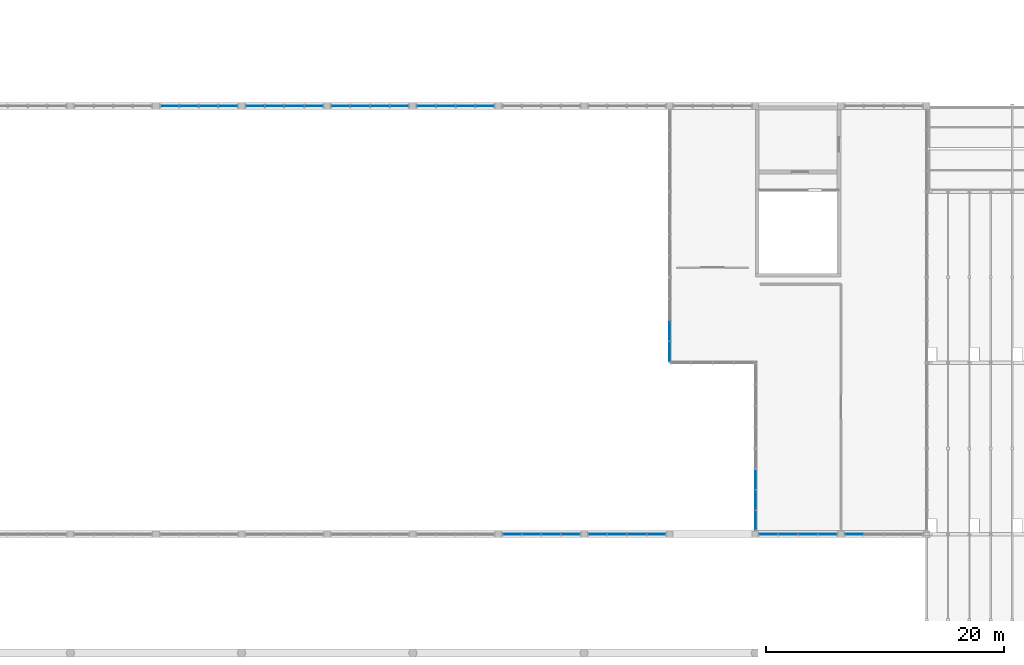
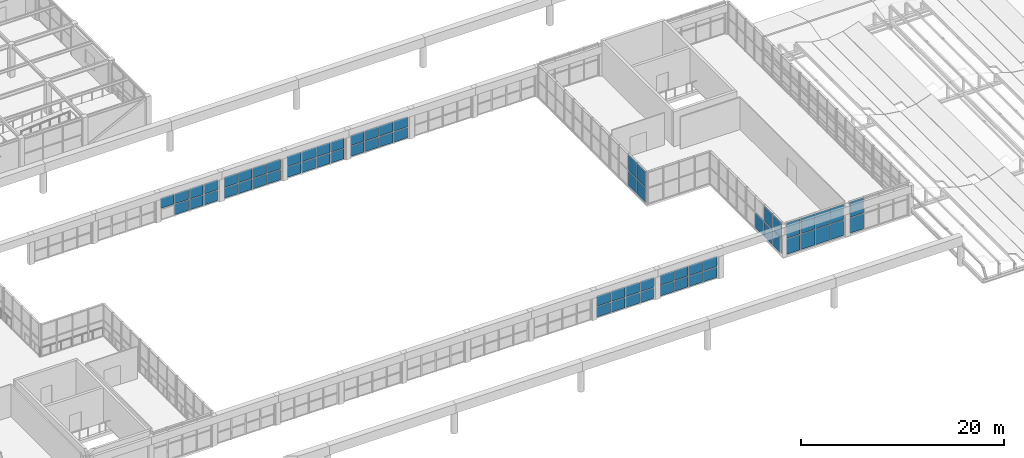
# One storey, part 53 of 83: 66 plates, 10 elements without a shape of their own.
"""IFC4 building model written with IfcOpenShell, lengths in metres."""

import ifcopenshell
import ifcopenshell.guid

model = None  # the IFC model being written
_history = None  # IfcOwnerHistory: only IFC2X3 demands one
_inside = {}  # id of a spatial element -> (the spatial element, [elements in it])
_under = {}  # id of a project, library or spatial element -> (it, [spatial elements below it])
_declared = {}  # id of a project -> (the project, [libraries it declares])
_typed = {}  # id of a type object -> (the type object, [elements of that type])
_made_of = {}  # id of a material, layer set ... -> (it, [elements and type objects made of it])


def new_model(schema):
    """Start an empty IFC model of exactly this schema.

    Asked for "IFC4X3", IfcOpenShell would pick the latest addendum, in which some entities
    have other attributes; the version numbers below select the first issue.
    IFC2X3 requires an IfcOwnerHistory on every rooted entity: one is made here for all.
    """
    global model, _history
    if schema == "IFC4X3":
        model = ifcopenshell.file(schema_version=(4, 3, 0, 0))
    else:
        model = ifcopenshell.file(schema=schema)
    _inside.clear()
    _under.clear()
    _declared.clear()
    _typed.clear()
    _made_of.clear()
    _history = None
    if model.schema == "IFC2X3":
        org = make("IfcOrganization", Name="unknown")
        user = make(
            "IfcPersonAndOrganization",
            ThePerson=make("IfcPerson", FamilyName="unknown"),
            TheOrganization=org,
        )
        app = make(
            "IfcApplication",
            ApplicationDeveloper=org,
            Version="unknown",
            ApplicationFullName="unknown",
            ApplicationIdentifier="unknown",
        )
        _history = make(
            "IfcOwnerHistory",
            OwningUser=user,
            OwningApplication=app,
            ChangeAction="ADDED",
            CreationDate=0,
        )
    return model


def make(cls, **values):
    """One entity of the class cls with the attributes given. An attribute that is None is left unset."""
    return model.create_entity(
        cls, **{name: value for name, value in values.items() if value is not None}
    )


def rooted(cls, **values):
    """An entity with a GlobalId (a new one), such as an element, a storey or a relation."""
    return make(cls, GlobalId=ifcopenshell.guid.new(), OwnerHistory=_history, **values)


def si_unit(unit_type, name, prefix=None):
    """IfcSIUnit, for example si_unit("LENGTHUNIT", "METRE", prefix="MILLI")."""
    return make("IfcSIUnit", UnitType=unit_type, Prefix=prefix, Name=name)


def assignment(units):
    """IfcUnitAssignment: the units of a project."""
    return None if units is None else make("IfcUnitAssignment", Units=units)


def point(xyz):
    """IfcCartesianPoint."""
    return None if xyz is None else make("IfcCartesianPoint", Coordinates=xyz)


def direction(xyz):
    """IfcDirection."""
    return None if xyz is None else make("IfcDirection", DirectionRatios=xyz)


def frame(location, z_axis=None, x_axis=None):
    """IfcAxis2Placement3D, a coordinate frame: its origin and axes. An axis left out is left unset."""
    return make(
        "IfcAxis2Placement3D",
        Location=point(location),
        Axis=direction(z_axis),
        RefDirection=direction(x_axis),
    )


def frame_2d(location, x_axis=None):
    """IfcAxis2Placement2D, a coordinate frame in the plane: its origin and x axis."""
    return make(
        "IfcAxis2Placement2D", Location=point(location), RefDirection=direction(x_axis)
    )


def origin():
    """The frame at (0, 0, 0) with its axes left unset."""
    return frame((0.0, 0.0, 0.0))


def origin_2d():
    """The frame at (0, 0) in the plane with its x axis left unset."""
    return frame_2d((0.0, 0.0))


def place(relative_to, where):
    """IfcLocalPlacement: puts the frame where relative to a parent placement (None: the world)."""
    return make(
        "IfcLocalPlacement", PlacementRelTo=relative_to, RelativePlacement=where
    )


def context(
    kind, dimensions, precision=None, world=None, true_north=None, identifier=None
):
    """IfcGeometricRepresentationContext, for example the 3D "Model" context."""
    return make(
        "IfcGeometricRepresentationContext",
        ContextIdentifier=identifier,
        ContextType=kind,
        CoordinateSpaceDimension=dimensions,
        Precision=precision,
        WorldCoordinateSystem=world,
        TrueNorth=true_north,
    )


def subcontext(parent, identifier, kind, view, scale=None):
    """IfcGeometricRepresentationSubContext, for example "Body" below "Model"."""
    return make(
        "IfcGeometricRepresentationSubContext",
        ContextIdentifier=identifier,
        ContextType=kind,
        ParentContext=parent,
        TargetScale=scale,
        TargetView=view,
    )


def project(units=None, contexts=None):
    """IfcProject with its units and contexts."""
    return rooted(
        "IfcProject",
        Name="project",
        RepresentationContexts=contexts,
        UnitsInContext=assignment(units),
    )


def spatial(cls, under=None, at=None, **own):
    """A site, building, storey or space (cls), placed at a placement, below another one or the project."""
    s = rooted(cls, ObjectPlacement=at, **own)
    if under is not None:
        _under.setdefault(under.id(), (under, []))[1].append(s)
    return s


def profile(cls, at=None, kind="AREA", **sizes):
    """A parametric profile (cls). Its sizes go by their IFC names, for example OverallWidth=200.0."""
    return make(cls, ProfileType=kind, Position=at, **sizes)


def rectangle(**sizes):
    """IfcRectangleProfileDef."""
    return profile("IfcRectangleProfileDef", **sizes)


def extrude(swept, where, along, depth):
    """IfcExtrudedAreaSolid: the profile swept, set in the frame where, extruded along a direction by depth."""
    return make(
        "IfcExtrudedAreaSolid",
        SweptArea=swept,
        Position=where,
        ExtrudedDirection=direction(along),
        Depth=depth,
    )


def shape(context_of_items, identifier, shape_type, items):
    """IfcShapeRepresentation: the items that make up one representation, for example the "Body"."""
    return make(
        "IfcShapeRepresentation",
        ContextOfItems=context_of_items,
        RepresentationIdentifier=identifier,
        RepresentationType=shape_type,
        Items=items,
    )


def material(Name=None, Category=None):
    """IfcMaterial."""
    return make("IfcMaterial", Name=Name, Category=Category)


def layer(
    of_material, thickness, ventilated=None, Name=None, Category=None, Priority=None
):
    """IfcMaterialLayer: one layer of a wall or slab, of a material (None: an air gap)."""
    return make(
        "IfcMaterialLayer",
        Material=of_material,
        LayerThickness=thickness,
        IsVentilated=ventilated,
        Name=Name,
        Category=Category,
        Priority=Priority,
    )


def layer_set(layers, Name=None):
    """IfcMaterialLayerSet."""
    return make("IfcMaterialLayerSet", MaterialLayers=layers, LayerSetName=Name)


def made_of(thing, what):
    """Note that an element or type object is made of a material, layer set ...; save() writes the relation."""
    if what is not None:
        _made_of.setdefault(what.id(), (what, []))[1].append(thing)
    return thing


def type_object(cls, material=None, **own):
    """A type object (cls), such as IfcWallType, which elements share."""
    return made_of(rooted(cls, **own), material)


def element(
    cls,
    number,
    at=None,
    inside=None,
    cuts=None,
    type_object=None,
    material=None,
    context=None,
    identifier="Body",
    shape_type=None,
    held_by="IfcProductDefinitionShape",
    body=None,
    shapes=None,
    **own,
):
    """One element of the class cls, such as IfcWall. Its Tag is "e" and its number.

    at: its placement. inside: the storey or other place that contains it. cuts: it is an
    opening in that element (IfcRelVoidsElement). A single representation is given by context,
    identifier, shape_type and body (its items); several are given by shapes. held_by: the class
    of the entity that holds the representations. save() writes the other relations.
    """
    e = rooted(cls, Tag="e%d" % number, ObjectPlacement=at, **own)
    if body is not None:
        shapes = [shape(context, identifier, shape_type, body)]
    if shapes is not None:
        e.Representation = make(held_by, Representations=shapes)
    if inside is not None:
        _inside.setdefault(inside.id(), (inside, []))[1].append(e)
    if cuts is not None:
        rooted(
            "IfcRelVoidsElement", RelatingBuildingElement=cuts, RelatedOpeningElement=e
        )
    if type_object is not None:
        _typed.setdefault(type_object.id(), (type_object, []))[1].append(e)
    return made_of(e, material)


def aggregate(whole, parts):
    """IfcRelAggregates: a whole, such as a stair, and the parts it consists of."""
    return rooted("IfcRelAggregates", RelatingObject=whole, RelatedObjects=parts)


def save(model, path):
    """Write the relations noted so far, then the file.

    IfcRelAggregates (storeys below a building ...), IfcRelContainedInSpatialStructure (elements
    in a storey), IfcRelDefinesByType, IfcRelAssociatesMaterial and IfcRelDeclares: one each for
    every whole, place, type object, material and project.
    """
    for whole, parts in _under.values():
        aggregate(whole, parts)
    for where, things in _inside.values():
        rooted(
            "IfcRelContainedInSpatialStructure",
            RelatedElements=things,
            RelatingStructure=where,
        )
    for kind, things in _typed.values():
        rooted("IfcRelDefinesByType", RelatedObjects=things, RelatingType=kind)
    for what, things in _made_of.values():
        rooted("IfcRelAssociatesMaterial", RelatedObjects=things, RelatingMaterial=what)
    for by, libraries in _declared.values():
        rooted("IfcRelDeclares", RelatingContext=by, RelatedDefinitions=libraries)
    model.write(path)


model = new_model("IFC4")

# Units and contexts
model_context = context("Model", 3, precision=1e-05, world=origin(), true_north=direction((0.0, 1.0)))
body_context = subcontext(model_context, "Body", "Model", "MODEL_VIEW")
ifc_project = project(units=[si_unit("LENGTHUNIT", "METRE"), si_unit("AREAUNIT", "SQUARE_METRE"), si_unit("VOLUMEUNIT", "CUBIC_METRE"), si_unit("PLANEANGLEUNIT", "RADIAN"), si_unit("MASSUNIT", "GRAM", prefix="KILO")], contexts=[model_context])

# Site, building, storey
site_placement = place(None, origin())
site = spatial("IfcSite", under=ifc_project, at=site_placement, CompositionType="ELEMENT")
building_placement = place(site_placement, origin())
building = spatial("IfcBuilding", under=site, at=building_placement, Name="Leyfeld Transit Interchange", CompositionType="ELEMENT")
storey_placement = place(building_placement, frame((0.0, 0.0, 5.39990234375)))
storey = spatial("IfcBuildingStorey", under=building, at=storey_placement, Name="L01", CompositionType="ELEMENT", Elevation=5.39990234375)

# Curtain wall, plates
ifc_material_1 = material(Name="Anodised aluminium EN AW-6060 T66", Category="aluminium")
curtain_wall_type = type_object("IfcCurtainWallType", Name="CW-SYS-ARC-7200", PredefinedType="NOTDEFINED", material=ifc_material_1)
curtain_wall_1_placement = place(storey_placement, origin())
curtain_wall_1 = element("IfcCurtainWall", 1, at=curtain_wall_1_placement, inside=storey, type_object=curtain_wall_type, Name="Curtain Wall CW-L01-073", PredefinedType="NOTDEFINED")
ifc_material_2 = material(Name="Triple low-E insulated glazing", Category="glass")
ifc_layer = layer(ifc_material_2, 0.0439453125, Name="Triple low-E insulated glazing")
ifc_layer_set = layer_set([ifc_layer], Name="Triple low-E insulated glazing")
plate_type = type_object("IfcPlateType", Name="CW-PNL-GLZ-44", PredefinedType="CURTAIN_PANEL", material=ifc_layer_set)
plate_1_placement = place(storey_placement, frame((86.39990234375, 15.54931640625, 0.08349609375), z_axis=(0.0, 0.0, 1.0), x_axis=(0.0, 1.0, 0.0)))
plate_1 = element("IfcPlate", 2, at=plate_1_placement, type_object=plate_type, Name="Glazed Curtain Panel CW-L01-073-P01_1", PredefinedType="CURTAIN_PANEL", context=body_context, shape_type="SweptSolid", body=[
    extrude(rectangle(XDim=1.601806640625, YDim=0.0439453125, at=origin_2d()), origin(), (0.0, 0.0, 1.0), 1.825439453125),
])
plate_2_placement = place(storey_placement, frame((86.39990234375, 15.54931640625, 1.9912109375), z_axis=(0.0, 0.0, 1.0), x_axis=(0.0, 1.0, 0.0)))
plate_2 = element("IfcPlate", 3, at=plate_2_placement, type_object=plate_type, Name="Glazed Curtain Panel CW-L01-073-P01_2", PredefinedType="CURTAIN_PANEL", context=body_context, shape_type="SweptSolid", body=[
    extrude(rectangle(XDim=1.601806640625, YDim=0.0439453125, at=origin_2d()), origin(), (0.0, 0.0, 1.0), 1.825439453125),
])
plate_3_placement = place(storey_placement, frame((86.39990234375, 17.25439453125, 0.08349609375), z_axis=(0.0, 0.0, 1.0), x_axis=(0.0, 1.0, 0.0)))
plate_3 = element("IfcPlate", 4, at=plate_3_placement, type_object=plate_type, Name="Glazed Curtain Panel CW-L01-073-P02_1", PredefinedType="CURTAIN_PANEL", context=body_context, shape_type="SweptSolid", body=[
    extrude(rectangle(XDim=1.644287109375, YDim=0.0439453125, at=origin_2d()), origin(), (0.0, 0.0, 1.0), 1.825439453125),
])
plate_4_placement = place(storey_placement, frame((86.39990234375, 17.25439453125, 1.9912109375), z_axis=(0.0, 0.0, 1.0), x_axis=(0.0, 1.0, 0.0)))
plate_4 = element("IfcPlate", 5, at=plate_4_placement, type_object=plate_type, Name="Glazed Curtain Panel CW-L01-073-P02_2", PredefinedType="CURTAIN_PANEL", context=body_context, shape_type="SweptSolid", body=[
    extrude(rectangle(XDim=1.644287109375, YDim=0.0439453125, at=origin_2d()), origin(), (0.0, 0.0, 1.0), 1.825439453125),
])
plate_5_placement = place(storey_placement, frame((86.39990234375, 18.980712890625, 0.08349609375), z_axis=(0.0, 0.0, 1.0), x_axis=(0.0, 1.0, 0.0)))
plate_5 = element("IfcPlate", 6, at=plate_5_placement, type_object=plate_type, Name="Glazed Curtain Panel CW-L01-073-P03_1", PredefinedType="CURTAIN_PANEL", context=body_context, shape_type="SweptSolid", body=[
    extrude(rectangle(XDim=1.644287109375, YDim=0.0439453125, at=origin_2d()), origin(), (0.0, 0.0, 1.0), 1.825439453125),
])
aggregate(curtain_wall_1, [plate_1, plate_2, plate_3, plate_4, plate_5])

curtain_wall_2_placement = place(storey_placement, origin())
curtain_wall_2 = element("IfcCurtainWall", 7, at=curtain_wall_2_placement, inside=storey, type_object=curtain_wall_type, Name="Curtain Wall CW-L01-076", PredefinedType="NOTDEFINED")
plate_6_placement = place(storey_placement, frame((79.199951171875, 29.74365234375, 0.08349609375), z_axis=(0.0, 0.0, 1.0), x_axis=(0.0, 1.0, 0.0)))
plate_6 = element("IfcPlate", 8, at=plate_6_placement, type_object=plate_type, Name="Glazed Curtain Panel CW-L01-076-P01_1", PredefinedType="CURTAIN_PANEL", context=body_context, shape_type="SweptSolid", body=[
    extrude(rectangle(XDim=1.660400390625, YDim=0.0439453125, at=origin_2d()), origin(), (0.0, 0.0, 1.0), 1.825439453125),
])
plate_7_placement = place(storey_placement, frame((79.199951171875, 29.74365234375, 1.9912109375), z_axis=(0.0, 0.0, 1.0), x_axis=(0.0, 1.0, 0.0)))
plate_7 = element("IfcPlate", 9, at=plate_7_placement, type_object=plate_type, Name="Glazed Curtain Panel CW-L01-076-P01_2", PredefinedType="CURTAIN_PANEL", context=body_context, shape_type="SweptSolid", body=[
    extrude(rectangle(XDim=1.660400390625, YDim=0.0439453125, at=origin_2d()), origin(), (0.0, 0.0, 1.0), 1.825439453125),
])
plate_8_placement = place(storey_placement, frame((79.199951171875, 31.507568359375, 0.08349609375), z_axis=(0.0, 0.0, 1.0), x_axis=(0.0, 1.0, 0.0)))
plate_8 = element("IfcPlate", 10, at=plate_8_placement, type_object=plate_type, Name="Glazed Curtain Panel CW-L01-076-P02_1", PredefinedType="CURTAIN_PANEL", context=body_context, shape_type="SweptSolid", body=[
    extrude(rectangle(XDim=1.702880859375, YDim=0.0439453125, at=origin_2d()), origin(), (0.0, 0.0, 1.0), 1.825439453125),
])
plate_9_placement = place(storey_placement, frame((79.199951171875, 31.507568359375, 1.9912109375), z_axis=(0.0, 0.0, 1.0), x_axis=(0.0, 1.0, 0.0)))
plate_9 = element("IfcPlate", 11, at=plate_9_placement, type_object=plate_type, Name="Glazed Curtain Panel CW-L01-076-P02_2", PredefinedType="CURTAIN_PANEL", context=body_context, shape_type="SweptSolid", body=[
    extrude(rectangle(XDim=1.702880859375, YDim=0.0439453125, at=origin_2d()), origin(), (0.0, 0.0, 1.0), 1.825439453125),
])
aggregate(curtain_wall_2, [plate_6, plate_7, plate_8, plate_9])

curtain_wall_3_placement = place(storey_placement, origin())
curtain_wall_3 = element("IfcCurtainWall", 12, at=curtain_wall_3_placement, inside=storey, type_object=curtain_wall_type, Name="Curtain Wall CW-L01-086", PredefinedType="NOTDEFINED")
plate_10_placement = place(storey_placement, frame((94.719970703125, 14.39990234375, 0.08349609375), z_axis=(0.0, 0.0, 1.0), x_axis=(-1.0, 0.0, 0.0)))
plate_10 = element("IfcPlate", 13, at=plate_10_placement, type_object=plate_type, Name="Glazed Curtain Panel CW-L01-086-P04_1", PredefinedType="CURTAIN_PANEL", context=body_context, shape_type="SweptSolid", body=[
    extrude(rectangle(XDim=1.54296875, YDim=0.0439453125, at=origin_2d()), origin(), (0.0, 0.0, 1.0), 1.825439453125),
])
plate_11_placement = place(storey_placement, frame((94.719970703125, 14.39990234375, 1.9912109375), z_axis=(0.0, 0.0, 1.0), x_axis=(-1.0, 0.0, 0.0)))
plate_11 = element("IfcPlate", 14, at=plate_11_placement, type_object=plate_type, Name="Glazed Curtain Panel CW-L01-086-P04_2", PredefinedType="CURTAIN_PANEL", context=body_context, shape_type="SweptSolid", body=[
    extrude(rectangle(XDim=1.54296875, YDim=0.0439453125, at=origin_2d()), origin(), (0.0, 0.0, 1.0), 1.825439453125),
])
aggregate(curtain_wall_3, [plate_10, plate_11])

curtain_wall_4_placement = place(storey_placement, origin())
curtain_wall_4 = element("IfcCurtainWall", 15, at=curtain_wall_4_placement, inside=storey, type_object=curtain_wall_type, Name="Curtain Wall CW-L01-087", PredefinedType="NOTDEFINED")
plate_12_placement = place(storey_placement, frame((92.47998046875, 14.39990234375, 0.08349609375), z_axis=(0.0, 0.0, 1.0), x_axis=(-1.0, 0.0, 0.0)))
plate_12 = element("IfcPlate", 16, at=plate_12_placement, type_object=plate_type, Name="Glazed Curtain Panel CW-L01-087-P01_1", PredefinedType="CURTAIN_PANEL", context=body_context, shape_type="SweptSolid", body=[
    extrude(rectangle(XDim=1.54296875, YDim=0.0439453125, at=origin_2d()), origin(), (0.0, 0.0, 1.0), 1.825439453125),
])
plate_13_placement = place(storey_placement, frame((92.47998046875, 14.39990234375, 1.9912109375), z_axis=(0.0, 0.0, 1.0), x_axis=(-1.0, 0.0, 0.0)))
plate_13 = element("IfcPlate", 17, at=plate_13_placement, type_object=plate_type, Name="Glazed Curtain Panel CW-L01-087-P01_2", PredefinedType="CURTAIN_PANEL", context=body_context, shape_type="SweptSolid", body=[
    extrude(rectangle(XDim=1.54296875, YDim=0.0439453125, at=origin_2d()), origin(), (0.0, 0.0, 1.0), 1.825439453125),
])
plate_14_placement = place(storey_placement, frame((90.833740234375, 14.39990234375, 0.08349609375), z_axis=(0.0, 0.0, 1.0), x_axis=(-1.0, 0.0, 0.0)))
plate_14 = element("IfcPlate", 18, at=plate_14_placement, type_object=plate_type, Name="Glazed Curtain Panel CW-L01-087-P02_1", PredefinedType="CURTAIN_PANEL", context=body_context, shape_type="SweptSolid", body=[
    extrude(rectangle(XDim=1.58544921875, YDim=0.0439453125, at=origin_2d()), origin(), (0.0, 0.0, 1.0), 1.825439453125),
])
plate_15_placement = place(storey_placement, frame((90.833740234375, 14.39990234375, 1.9912109375), z_axis=(0.0, 0.0, 1.0), x_axis=(-1.0, 0.0, 0.0)))
plate_15 = element("IfcPlate", 19, at=plate_15_placement, type_object=plate_type, Name="Glazed Curtain Panel CW-L01-087-P02_2", PredefinedType="CURTAIN_PANEL", context=body_context, shape_type="SweptSolid", body=[
    extrude(rectangle(XDim=1.58544921875, YDim=0.0439453125, at=origin_2d()), origin(), (0.0, 0.0, 1.0), 1.825439453125),
])
plate_16_placement = place(storey_placement, frame((89.166259765625, 14.39990234375, 0.08349609375), z_axis=(0.0, 0.0, 1.0), x_axis=(-1.0, 0.0, 0.0)))
plate_16 = element("IfcPlate", 20, at=plate_16_placement, type_object=plate_type, Name="Glazed Curtain Panel CW-L01-087-P03_1", PredefinedType="CURTAIN_PANEL", context=body_context, shape_type="SweptSolid", body=[
    extrude(rectangle(XDim=1.58544921875, YDim=0.0439453125, at=origin_2d()), origin(), (0.0, 0.0, 1.0), 1.825439453125),
])
plate_17_placement = place(storey_placement, frame((89.166259765625, 14.39990234375, 1.9912109375), z_axis=(0.0, 0.0, 1.0), x_axis=(-1.0, 0.0, 0.0)))
plate_17 = element("IfcPlate", 21, at=plate_17_placement, type_object=plate_type, Name="Glazed Curtain Panel CW-L01-087-P03_2", PredefinedType="CURTAIN_PANEL", context=body_context, shape_type="SweptSolid", body=[
    extrude(rectangle(XDim=1.58544921875, YDim=0.0439453125, at=origin_2d()), origin(), (0.0, 0.0, 1.0), 1.825439453125),
])
plate_18_placement = place(storey_placement, frame((87.52001953125, 14.39990234375, 0.08349609375), z_axis=(0.0, 0.0, 1.0), x_axis=(-1.0, 0.0, 0.0)))
plate_18 = element("IfcPlate", 22, at=plate_18_placement, type_object=plate_type, Name="Glazed Curtain Panel CW-L01-087-P04_1", PredefinedType="CURTAIN_PANEL", context=body_context, shape_type="SweptSolid", body=[
    extrude(rectangle(XDim=1.54296875, YDim=0.0439453125, at=origin_2d()), origin(), (0.0, 0.0, 1.0), 1.825439453125),
])
plate_19_placement = place(storey_placement, frame((87.52001953125, 14.39990234375, 1.9912109375), z_axis=(0.0, 0.0, 1.0), x_axis=(-1.0, 0.0, 0.0)))
plate_19 = element("IfcPlate", 23, at=plate_19_placement, type_object=plate_type, Name="Glazed Curtain Panel CW-L01-087-P04_2", PredefinedType="CURTAIN_PANEL", context=body_context, shape_type="SweptSolid", body=[
    extrude(rectangle(XDim=1.54296875, YDim=0.0439453125, at=origin_2d()), origin(), (0.0, 0.0, 1.0), 1.825439453125),
])
aggregate(curtain_wall_4, [plate_12, plate_13, plate_14, plate_15, plate_16, plate_17, plate_18, plate_19])

curtain_wall_5_placement = place(storey_placement, origin())
curtain_wall_5 = element("IfcCurtainWall", 24, at=curtain_wall_5_placement, inside=storey, type_object=curtain_wall_type, Name="Curtain Wall CW-L01-CLR-158", PredefinedType="NOTDEFINED")
plate_20_placement = place(storey_placement, frame((65.9462890625, 14.39990234375, 0.08349609375), z_axis=(0.0, 0.0, 1.0), x_axis=(1.0, 0.0, 0.0)))
plate_20 = element("IfcPlate", 25, at=plate_20_placement, type_object=plate_type, Name="Glazed Curtain Panel CW-L01-CLR-158-P01_1", PredefinedType="CURTAIN_PANEL", context=body_context, shape_type="SweptSolid", body=[
    extrude(rectangle(XDim=1.525390625, YDim=0.0439453125, at=origin_2d()), origin(), (0.0, 0.0, 1.0), 1.2255859375),
])
plate_21_placement = place(storey_placement, frame((65.9462890625, 14.39990234375, 1.39111328125), z_axis=(0.0, 0.0, 1.0), x_axis=(1.0, 0.0, 0.0)))
plate_21 = element("IfcPlate", 26, at=plate_21_placement, type_object=plate_type, Name="Glazed Curtain Panel CW-L01-CLR-158-P01_2", PredefinedType="CURTAIN_PANEL", context=body_context, shape_type="SweptSolid", body=[
    extrude(rectangle(XDim=1.525390625, YDim=0.0439453125, at=origin_2d()), origin(), (0.0, 0.0, 1.0), 1.2255859375),
])
plate_22_placement = place(storey_placement, frame((67.574951171875, 14.39990234375, 0.08349609375), z_axis=(0.0, 0.0, 1.0), x_axis=(1.0, 0.0, 0.0)))
plate_22 = element("IfcPlate", 27, at=plate_22_placement, type_object=plate_type, Name="Glazed Curtain Panel CW-L01-CLR-158-P02_1", PredefinedType="CURTAIN_PANEL", context=body_context, shape_type="SweptSolid", body=[
    extrude(rectangle(XDim=1.568115234375, YDim=0.0439453125, at=origin_2d()), origin(), (0.0, 0.0, 1.0), 1.2255859375),
])
plate_23_placement = place(storey_placement, frame((67.574951171875, 14.39990234375, 1.39111328125), z_axis=(0.0, 0.0, 1.0), x_axis=(1.0, 0.0, 0.0)))
plate_23 = element("IfcPlate", 28, at=plate_23_placement, type_object=plate_type, Name="Glazed Curtain Panel CW-L01-CLR-158-P02_2", PredefinedType="CURTAIN_PANEL", context=body_context, shape_type="SweptSolid", body=[
    extrude(rectangle(XDim=1.568115234375, YDim=0.0439453125, at=origin_2d()), origin(), (0.0, 0.0, 1.0), 1.2255859375),
])
plate_24_placement = place(storey_placement, frame((69.22509765625, 14.39990234375, 0.08349609375), z_axis=(0.0, 0.0, 1.0), x_axis=(1.0, 0.0, 0.0)))
plate_24 = element("IfcPlate", 29, at=plate_24_placement, type_object=plate_type, Name="Glazed Curtain Panel CW-L01-CLR-158-P03_1", PredefinedType="CURTAIN_PANEL", context=body_context, shape_type="SweptSolid", body=[
    extrude(rectangle(XDim=1.568115234375, YDim=0.0439453125, at=origin_2d()), origin(), (0.0, 0.0, 1.0), 1.2255859375),
])
plate_25_placement = place(storey_placement, frame((69.22509765625, 14.39990234375, 1.39111328125), z_axis=(0.0, 0.0, 1.0), x_axis=(1.0, 0.0, 0.0)))
plate_25 = element("IfcPlate", 30, at=plate_25_placement, type_object=plate_type, Name="Glazed Curtain Panel CW-L01-CLR-158-P03_2", PredefinedType="CURTAIN_PANEL", context=body_context, shape_type="SweptSolid", body=[
    extrude(rectangle(XDim=1.568115234375, YDim=0.0439453125, at=origin_2d()), origin(), (0.0, 0.0, 1.0), 1.2255859375),
])
plate_26_placement = place(storey_placement, frame((70.853759765625, 14.39990234375, 0.08349609375), z_axis=(0.0, 0.0, 1.0), x_axis=(1.0, 0.0, 0.0)))
plate_26 = element("IfcPlate", 31, at=plate_26_placement, type_object=plate_type, Name="Glazed Curtain Panel CW-L01-CLR-158-P04_1", PredefinedType="CURTAIN_PANEL", context=body_context, shape_type="SweptSolid", body=[
    extrude(rectangle(XDim=1.525390625, YDim=0.0439453125, at=origin_2d()), origin(), (0.0, 0.0, 1.0), 1.2255859375),
])
plate_27_placement = place(storey_placement, frame((70.853759765625, 14.39990234375, 1.39111328125), z_axis=(0.0, 0.0, 1.0), x_axis=(1.0, 0.0, 0.0)))
plate_27 = element("IfcPlate", 32, at=plate_27_placement, type_object=plate_type, Name="Glazed Curtain Panel CW-L01-CLR-158-P04_2", PredefinedType="CURTAIN_PANEL", context=body_context, shape_type="SweptSolid", body=[
    extrude(rectangle(XDim=1.525390625, YDim=0.0439453125, at=origin_2d()), origin(), (0.0, 0.0, 1.0), 1.2255859375),
])
aggregate(curtain_wall_5, [plate_20, plate_21, plate_22, plate_23, plate_24, plate_25, plate_26, plate_27])

curtain_wall_6_placement = place(storey_placement, origin())
curtain_wall_6 = element("IfcCurtainWall", 33, at=curtain_wall_6_placement, inside=storey, type_object=curtain_wall_type, Name="Curtain Wall CW-L01-CLR-159", PredefinedType="NOTDEFINED")
plate_28_placement = place(storey_placement, frame((73.146240234375, 14.39990234375, 0.08349609375), z_axis=(0.0, 0.0, 1.0), x_axis=(1.0, 0.0, 0.0)))
plate_28 = element("IfcPlate", 34, at=plate_28_placement, type_object=plate_type, Name="Glazed Curtain Panel CW-L01-CLR-159-P01_1", PredefinedType="CURTAIN_PANEL", context=body_context, shape_type="SweptSolid", body=[
    extrude(rectangle(XDim=1.525390625, YDim=0.0439453125, at=origin_2d()), origin(), (0.0, 0.0, 1.0), 1.2255859375),
])
plate_29_placement = place(storey_placement, frame((73.146240234375, 14.39990234375, 1.39111328125), z_axis=(0.0, 0.0, 1.0), x_axis=(1.0, 0.0, 0.0)))
plate_29 = element("IfcPlate", 35, at=plate_29_placement, type_object=plate_type, Name="Glazed Curtain Panel CW-L01-CLR-159-P01_2", PredefinedType="CURTAIN_PANEL", context=body_context, shape_type="SweptSolid", body=[
    extrude(rectangle(XDim=1.525390625, YDim=0.0439453125, at=origin_2d()), origin(), (0.0, 0.0, 1.0), 1.2255859375),
])
plate_30_placement = place(storey_placement, frame((74.77490234375, 14.39990234375, 0.08349609375), z_axis=(0.0, 0.0, 1.0), x_axis=(1.0, 0.0, 0.0)))
plate_30 = element("IfcPlate", 36, at=plate_30_placement, type_object=plate_type, Name="Glazed Curtain Panel CW-L01-CLR-159-P02_1", PredefinedType="CURTAIN_PANEL", context=body_context, shape_type="SweptSolid", body=[
    extrude(rectangle(XDim=1.568115234375, YDim=0.0439453125, at=origin_2d()), origin(), (0.0, 0.0, 1.0), 1.2255859375),
])
plate_31_placement = place(storey_placement, frame((74.77490234375, 14.39990234375, 1.39111328125), z_axis=(0.0, 0.0, 1.0), x_axis=(1.0, 0.0, 0.0)))
plate_31 = element("IfcPlate", 37, at=plate_31_placement, type_object=plate_type, Name="Glazed Curtain Panel CW-L01-CLR-159-P02_2", PredefinedType="CURTAIN_PANEL", context=body_context, shape_type="SweptSolid", body=[
    extrude(rectangle(XDim=1.568115234375, YDim=0.0439453125, at=origin_2d()), origin(), (0.0, 0.0, 1.0), 1.2255859375),
])
plate_32_placement = place(storey_placement, frame((76.425048828125, 14.39990234375, 0.08349609375), z_axis=(0.0, 0.0, 1.0), x_axis=(1.0, 0.0, 0.0)))
plate_32 = element("IfcPlate", 38, at=plate_32_placement, type_object=plate_type, Name="Glazed Curtain Panel CW-L01-CLR-159-P03_1", PredefinedType="CURTAIN_PANEL", context=body_context, shape_type="SweptSolid", body=[
    extrude(rectangle(XDim=1.568115234375, YDim=0.0439453125, at=origin_2d()), origin(), (0.0, 0.0, 1.0), 1.2255859375),
])
plate_33_placement = place(storey_placement, frame((76.425048828125, 14.39990234375, 1.39111328125), z_axis=(0.0, 0.0, 1.0), x_axis=(1.0, 0.0, 0.0)))
plate_33 = element("IfcPlate", 39, at=plate_33_placement, type_object=plate_type, Name="Glazed Curtain Panel CW-L01-CLR-159-P03_2", PredefinedType="CURTAIN_PANEL", context=body_context, shape_type="SweptSolid", body=[
    extrude(rectangle(XDim=1.568115234375, YDim=0.0439453125, at=origin_2d()), origin(), (0.0, 0.0, 1.0), 1.2255859375),
])
plate_34_placement = place(storey_placement, frame((78.0537109375, 14.39990234375, 0.08349609375), z_axis=(0.0, 0.0, 1.0), x_axis=(1.0, 0.0, 0.0)))
plate_34 = element("IfcPlate", 40, at=plate_34_placement, type_object=plate_type, Name="Glazed Curtain Panel CW-L01-CLR-159-P04_1", PredefinedType="CURTAIN_PANEL", context=body_context, shape_type="SweptSolid", body=[
    extrude(rectangle(XDim=1.525390625, YDim=0.0439453125, at=origin_2d()), origin(), (0.0, 0.0, 1.0), 1.2255859375),
])
plate_35_placement = place(storey_placement, frame((78.0537109375, 14.39990234375, 1.39111328125), z_axis=(0.0, 0.0, 1.0), x_axis=(1.0, 0.0, 0.0)))
plate_35 = element("IfcPlate", 41, at=plate_35_placement, type_object=plate_type, Name="Glazed Curtain Panel CW-L01-CLR-159-P04_2", PredefinedType="CURTAIN_PANEL", context=body_context, shape_type="SweptSolid", body=[
    extrude(rectangle(XDim=1.525390625, YDim=0.0439453125, at=origin_2d()), origin(), (0.0, 0.0, 1.0), 1.2255859375),
])
aggregate(curtain_wall_6, [plate_28, plate_29, plate_30, plate_31, plate_32, plate_33, plate_34, plate_35])

curtain_wall_7_placement = place(storey_placement, origin())
curtain_wall_7 = element("IfcCurtainWall", 42, at=curtain_wall_7_placement, inside=storey, type_object=curtain_wall_type, Name="Curtain Wall CW-L01-CLR-162", PredefinedType="NOTDEFINED")
plate_36_placement = place(storey_placement, frame((42.0537109375, 50.39990234375, 0.08349609375), z_axis=(0.0, 0.0, 1.0), x_axis=(-1.0, 0.0, 0.0)))
plate_36 = element("IfcPlate", 43, at=plate_36_placement, type_object=plate_type, Name="Glazed Curtain Panel CW-L01-CLR-162-P01_1", PredefinedType="CURTAIN_PANEL", context=body_context, shape_type="SweptSolid", body=[
    extrude(rectangle(XDim=1.525390625, YDim=0.0439453125, at=origin_2d()), origin(), (0.0, 0.0, 1.0), 1.2255859375),
])
plate_37_placement = place(storey_placement, frame((42.0537109375, 50.39990234375, 1.39111328125), z_axis=(0.0, 0.0, 1.0), x_axis=(-1.0, 0.0, 0.0)))
plate_37 = element("IfcPlate", 44, at=plate_37_placement, type_object=plate_type, Name="Glazed Curtain Panel CW-L01-CLR-162-P01_2", PredefinedType="CURTAIN_PANEL", context=body_context, shape_type="SweptSolid", body=[
    extrude(rectangle(XDim=1.525390625, YDim=0.0439453125, at=origin_2d()), origin(), (0.0, 0.0, 1.0), 1.2255859375),
])
plate_38_placement = place(storey_placement, frame((40.425048828125, 50.39990234375, 0.08349609375), z_axis=(0.0, 0.0, 1.0), x_axis=(-1.0, 0.0, 0.0)))
plate_38 = element("IfcPlate", 45, at=plate_38_placement, type_object=plate_type, Name="Glazed Curtain Panel CW-L01-CLR-162-P02_1", PredefinedType="CURTAIN_PANEL", context=body_context, shape_type="SweptSolid", body=[
    extrude(rectangle(XDim=1.568115234375, YDim=0.0439453125, at=origin_2d()), origin(), (0.0, 0.0, 1.0), 1.2255859375),
])
plate_39_placement = place(storey_placement, frame((40.425048828125, 50.39990234375, 1.39111328125), z_axis=(0.0, 0.0, 1.0), x_axis=(-1.0, 0.0, 0.0)))
plate_39 = element("IfcPlate", 46, at=plate_39_placement, type_object=plate_type, Name="Glazed Curtain Panel CW-L01-CLR-162-P02_2", PredefinedType="CURTAIN_PANEL", context=body_context, shape_type="SweptSolid", body=[
    extrude(rectangle(XDim=1.568115234375, YDim=0.0439453125, at=origin_2d()), origin(), (0.0, 0.0, 1.0), 1.2255859375),
])
plate_40_placement = place(storey_placement, frame((38.77490234375, 50.39990234375, 0.08349609375), z_axis=(0.0, 0.0, 1.0), x_axis=(-1.0, 0.0, 0.0)))
plate_40 = element("IfcPlate", 47, at=plate_40_placement, type_object=plate_type, Name="Glazed Curtain Panel CW-L01-CLR-162-P03_1", PredefinedType="CURTAIN_PANEL", context=body_context, shape_type="SweptSolid", body=[
    extrude(rectangle(XDim=1.568115234375, YDim=0.0439453125, at=origin_2d()), origin(), (0.0, 0.0, 1.0), 1.2255859375),
])
plate_41_placement = place(storey_placement, frame((38.77490234375, 50.39990234375, 1.39111328125), z_axis=(0.0, 0.0, 1.0), x_axis=(-1.0, 0.0, 0.0)))
plate_41 = element("IfcPlate", 48, at=plate_41_placement, type_object=plate_type, Name="Glazed Curtain Panel CW-L01-CLR-162-P03_2", PredefinedType="CURTAIN_PANEL", context=body_context, shape_type="SweptSolid", body=[
    extrude(rectangle(XDim=1.568115234375, YDim=0.0439453125, at=origin_2d()), origin(), (0.0, 0.0, 1.0), 1.2255859375),
])
plate_42_placement = place(storey_placement, frame((37.146240234375, 50.39990234375, 1.39111328125), z_axis=(0.0, 0.0, 1.0), x_axis=(-1.0, 0.0, 0.0)))
plate_42 = element("IfcPlate", 49, at=plate_42_placement, type_object=plate_type, Name="Glazed Curtain Panel CW-L01-CLR-162-P04_2", PredefinedType="CURTAIN_PANEL", context=body_context, shape_type="SweptSolid", body=[
    extrude(rectangle(XDim=1.525390625, YDim=0.0439453125, at=origin_2d()), origin(), (0.0, 0.0, 1.0), 1.2255859375),
])
aggregate(curtain_wall_7, [plate_36, plate_37, plate_38, plate_39, plate_40, plate_41, plate_42])

curtain_wall_8_placement = place(storey_placement, origin())
curtain_wall_8 = element("IfcCurtainWall", 50, at=curtain_wall_8_placement, inside=storey, type_object=curtain_wall_type, Name="Curtain Wall CW-L01-CLR-163", PredefinedType="NOTDEFINED")
plate_43_placement = place(storey_placement, frame((49.25390625, 50.39990234375, 0.08349609375), z_axis=(0.0, 0.0, 1.0), x_axis=(-1.0, 0.0, 0.0)))
plate_43 = element("IfcPlate", 51, at=plate_43_placement, type_object=plate_type, Name="Glazed Curtain Panel CW-L01-CLR-163-P01_1", PredefinedType="CURTAIN_PANEL", context=body_context, shape_type="SweptSolid", body=[
    extrude(rectangle(XDim=1.525390625, YDim=0.0439453125, at=origin_2d()), origin(), (0.0, 0.0, 1.0), 1.2255859375),
])
plate_44_placement = place(storey_placement, frame((49.25390625, 50.39990234375, 1.39111328125), z_axis=(0.0, 0.0, 1.0), x_axis=(-1.0, 0.0, 0.0)))
plate_44 = element("IfcPlate", 52, at=plate_44_placement, type_object=plate_type, Name="Glazed Curtain Panel CW-L01-CLR-163-P01_2", PredefinedType="CURTAIN_PANEL", context=body_context, shape_type="SweptSolid", body=[
    extrude(rectangle(XDim=1.525390625, YDim=0.0439453125, at=origin_2d()), origin(), (0.0, 0.0, 1.0), 1.2255859375),
])
plate_45_placement = place(storey_placement, frame((47.625, 50.39990234375, 0.08349609375), z_axis=(0.0, 0.0, 1.0), x_axis=(-1.0, 0.0, 0.0)))
plate_45 = element("IfcPlate", 53, at=plate_45_placement, type_object=plate_type, Name="Glazed Curtain Panel CW-L01-CLR-163-P02_1", PredefinedType="CURTAIN_PANEL", context=body_context, shape_type="SweptSolid", body=[
    extrude(rectangle(XDim=1.568115234375, YDim=0.0439453125, at=origin_2d()), origin(), (0.0, 0.0, 1.0), 1.2255859375),
])
plate_46_placement = place(storey_placement, frame((47.625, 50.39990234375, 1.39111328125), z_axis=(0.0, 0.0, 1.0), x_axis=(-1.0, 0.0, 0.0)))
plate_46 = element("IfcPlate", 54, at=plate_46_placement, type_object=plate_type, Name="Glazed Curtain Panel CW-L01-CLR-163-P02_2", PredefinedType="CURTAIN_PANEL", context=body_context, shape_type="SweptSolid", body=[
    extrude(rectangle(XDim=1.568115234375, YDim=0.0439453125, at=origin_2d()), origin(), (0.0, 0.0, 1.0), 1.2255859375),
])
plate_47_placement = place(storey_placement, frame((45.97509765625, 50.39990234375, 0.08349609375), z_axis=(0.0, 0.0, 1.0), x_axis=(-1.0, 0.0, 0.0)))
plate_47 = element("IfcPlate", 55, at=plate_47_placement, type_object=plate_type, Name="Glazed Curtain Panel CW-L01-CLR-163-P03_1", PredefinedType="CURTAIN_PANEL", context=body_context, shape_type="SweptSolid", body=[
    extrude(rectangle(XDim=1.568115234375, YDim=0.0439453125, at=origin_2d()), origin(), (0.0, 0.0, 1.0), 1.2255859375),
])
plate_48_placement = place(storey_placement, frame((45.97509765625, 50.39990234375, 1.39111328125), z_axis=(0.0, 0.0, 1.0), x_axis=(-1.0, 0.0, 0.0)))
plate_48 = element("IfcPlate", 56, at=plate_48_placement, type_object=plate_type, Name="Glazed Curtain Panel CW-L01-CLR-163-P03_2", PredefinedType="CURTAIN_PANEL", context=body_context, shape_type="SweptSolid", body=[
    extrude(rectangle(XDim=1.568115234375, YDim=0.0439453125, at=origin_2d()), origin(), (0.0, 0.0, 1.0), 1.2255859375),
])
plate_49_placement = place(storey_placement, frame((44.34619140625, 50.39990234375, 0.08349609375), z_axis=(0.0, 0.0, 1.0), x_axis=(-1.0, 0.0, 0.0)))
plate_49 = element("IfcPlate", 57, at=plate_49_placement, type_object=plate_type, Name="Glazed Curtain Panel CW-L01-CLR-163-P04_1", PredefinedType="CURTAIN_PANEL", context=body_context, shape_type="SweptSolid", body=[
    extrude(rectangle(XDim=1.525390625, YDim=0.0439453125, at=origin_2d()), origin(), (0.0, 0.0, 1.0), 1.2255859375),
])
plate_50_placement = place(storey_placement, frame((44.34619140625, 50.39990234375, 1.39111328125), z_axis=(0.0, 0.0, 1.0), x_axis=(-1.0, 0.0, 0.0)))
plate_50 = element("IfcPlate", 58, at=plate_50_placement, type_object=plate_type, Name="Glazed Curtain Panel CW-L01-CLR-163-P04_2", PredefinedType="CURTAIN_PANEL", context=body_context, shape_type="SweptSolid", body=[
    extrude(rectangle(XDim=1.525390625, YDim=0.0439453125, at=origin_2d()), origin(), (0.0, 0.0, 1.0), 1.2255859375),
])
aggregate(curtain_wall_8, [plate_43, plate_44, plate_45, plate_46, plate_47, plate_48, plate_49, plate_50])

curtain_wall_9_placement = place(storey_placement, origin())
curtain_wall_9 = element("IfcCurtainWall", 59, at=curtain_wall_9_placement, inside=storey, type_object=curtain_wall_type, Name="Curtain Wall CW-L01-CLR-164", PredefinedType="NOTDEFINED")
plate_51_placement = place(storey_placement, frame((56.453857421875, 50.39990234375, 0.08349609375), z_axis=(0.0, 0.0, 1.0), x_axis=(-1.0, 0.0, 0.0)))
plate_51 = element("IfcPlate", 60, at=plate_51_placement, type_object=plate_type, Name="Glazed Curtain Panel CW-L01-CLR-164-P01_1", PredefinedType="CURTAIN_PANEL", context=body_context, shape_type="SweptSolid", body=[
    extrude(rectangle(XDim=1.525390625, YDim=0.0439453125, at=origin_2d()), origin(), (0.0, 0.0, 1.0), 1.2255859375),
])
plate_52_placement = place(storey_placement, frame((56.453857421875, 50.39990234375, 1.39111328125), z_axis=(0.0, 0.0, 1.0), x_axis=(-1.0, 0.0, 0.0)))
plate_52 = element("IfcPlate", 61, at=plate_52_placement, type_object=plate_type, Name="Glazed Curtain Panel CW-L01-CLR-164-P01_2", PredefinedType="CURTAIN_PANEL", context=body_context, shape_type="SweptSolid", body=[
    extrude(rectangle(XDim=1.525390625, YDim=0.0439453125, at=origin_2d()), origin(), (0.0, 0.0, 1.0), 1.2255859375),
])
plate_53_placement = place(storey_placement, frame((54.824951171875, 50.39990234375, 0.08349609375), z_axis=(0.0, 0.0, 1.0), x_axis=(-1.0, 0.0, 0.0)))
plate_53 = element("IfcPlate", 62, at=plate_53_placement, type_object=plate_type, Name="Glazed Curtain Panel CW-L01-CLR-164-P02_1", PredefinedType="CURTAIN_PANEL", context=body_context, shape_type="SweptSolid", body=[
    extrude(rectangle(XDim=1.568115234375, YDim=0.0439453125, at=origin_2d()), origin(), (0.0, 0.0, 1.0), 1.2255859375),
])
plate_54_placement = place(storey_placement, frame((54.824951171875, 50.39990234375, 1.39111328125), z_axis=(0.0, 0.0, 1.0), x_axis=(-1.0, 0.0, 0.0)))
plate_54 = element("IfcPlate", 63, at=plate_54_placement, type_object=plate_type, Name="Glazed Curtain Panel CW-L01-CLR-164-P02_2", PredefinedType="CURTAIN_PANEL", context=body_context, shape_type="SweptSolid", body=[
    extrude(rectangle(XDim=1.568115234375, YDim=0.0439453125, at=origin_2d()), origin(), (0.0, 0.0, 1.0), 1.2255859375),
])
plate_55_placement = place(storey_placement, frame((53.175048828125, 50.39990234375, 0.08349609375), z_axis=(0.0, 0.0, 1.0), x_axis=(-1.0, 0.0, 0.0)))
plate_55 = element("IfcPlate", 64, at=plate_55_placement, type_object=plate_type, Name="Glazed Curtain Panel CW-L01-CLR-164-P03_1", PredefinedType="CURTAIN_PANEL", context=body_context, shape_type="SweptSolid", body=[
    extrude(rectangle(XDim=1.568115234375, YDim=0.0439453125, at=origin_2d()), origin(), (0.0, 0.0, 1.0), 1.2255859375),
])
plate_56_placement = place(storey_placement, frame((53.175048828125, 50.39990234375, 1.39111328125), z_axis=(0.0, 0.0, 1.0), x_axis=(-1.0, 0.0, 0.0)))
plate_56 = element("IfcPlate", 65, at=plate_56_placement, type_object=plate_type, Name="Glazed Curtain Panel CW-L01-CLR-164-P03_2", PredefinedType="CURTAIN_PANEL", context=body_context, shape_type="SweptSolid", body=[
    extrude(rectangle(XDim=1.568115234375, YDim=0.0439453125, at=origin_2d()), origin(), (0.0, 0.0, 1.0), 1.2255859375),
])
plate_57_placement = place(storey_placement, frame((51.54638671875, 50.39990234375, 0.08349609375), z_axis=(0.0, 0.0, 1.0), x_axis=(-1.0, 0.0, 0.0)))
plate_57 = element("IfcPlate", 66, at=plate_57_placement, type_object=plate_type, Name="Glazed Curtain Panel CW-L01-CLR-164-P04_1", PredefinedType="CURTAIN_PANEL", context=body_context, shape_type="SweptSolid", body=[
    extrude(rectangle(XDim=1.525390625, YDim=0.0439453125, at=origin_2d()), origin(), (0.0, 0.0, 1.0), 1.2255859375),
])
plate_58_placement = place(storey_placement, frame((51.54638671875, 50.39990234375, 1.39111328125), z_axis=(0.0, 0.0, 1.0), x_axis=(-1.0, 0.0, 0.0)))
plate_58 = element("IfcPlate", 67, at=plate_58_placement, type_object=plate_type, Name="Glazed Curtain Panel CW-L01-CLR-164-P04_2", PredefinedType="CURTAIN_PANEL", context=body_context, shape_type="SweptSolid", body=[
    extrude(rectangle(XDim=1.525390625, YDim=0.0439453125, at=origin_2d()), origin(), (0.0, 0.0, 1.0), 1.2255859375),
])
aggregate(curtain_wall_9, [plate_51, plate_52, plate_53, plate_54, plate_55, plate_56, plate_57, plate_58])

curtain_wall_10_placement = place(storey_placement, origin())
curtain_wall_10 = element("IfcCurtainWall", 68, at=curtain_wall_10_placement, inside=storey, type_object=curtain_wall_type, Name="Curtain Wall CW-L01-CLR-165", PredefinedType="NOTDEFINED")
plate_59_placement = place(storey_placement, frame((63.65380859375, 50.39990234375, 0.08349609375), z_axis=(0.0, 0.0, 1.0), x_axis=(-1.0, 0.0, 0.0)))
plate_59 = element("IfcPlate", 69, at=plate_59_placement, type_object=plate_type, Name="Glazed Curtain Panel CW-L01-CLR-165-P01_1", PredefinedType="CURTAIN_PANEL", context=body_context, shape_type="SweptSolid", body=[
    extrude(rectangle(XDim=1.525390625, YDim=0.0439453125, at=origin_2d()), origin(), (0.0, 0.0, 1.0), 1.2255859375),
])
plate_60_placement = place(storey_placement, frame((63.65380859375, 50.39990234375, 1.39111328125), z_axis=(0.0, 0.0, 1.0), x_axis=(-1.0, 0.0, 0.0)))
plate_60 = element("IfcPlate", 70, at=plate_60_placement, type_object=plate_type, Name="Glazed Curtain Panel CW-L01-CLR-165-P01_2", PredefinedType="CURTAIN_PANEL", context=body_context, shape_type="SweptSolid", body=[
    extrude(rectangle(XDim=1.525390625, YDim=0.0439453125, at=origin_2d()), origin(), (0.0, 0.0, 1.0), 1.2255859375),
])
plate_61_placement = place(storey_placement, frame((62.02490234375, 50.39990234375, 0.08349609375), z_axis=(0.0, 0.0, 1.0), x_axis=(-1.0, 0.0, 0.0)))
plate_61 = element("IfcPlate", 71, at=plate_61_placement, type_object=plate_type, Name="Glazed Curtain Panel CW-L01-CLR-165-P02_1", PredefinedType="CURTAIN_PANEL", context=body_context, shape_type="SweptSolid", body=[
    extrude(rectangle(XDim=1.568115234375, YDim=0.0439453125, at=origin_2d()), origin(), (0.0, 0.0, 1.0), 1.2255859375),
])
plate_62_placement = place(storey_placement, frame((62.02490234375, 50.39990234375, 1.39111328125), z_axis=(0.0, 0.0, 1.0), x_axis=(-1.0, 0.0, 0.0)))
plate_62 = element("IfcPlate", 72, at=plate_62_placement, type_object=plate_type, Name="Glazed Curtain Panel CW-L01-CLR-165-P02_2", PredefinedType="CURTAIN_PANEL", context=body_context, shape_type="SweptSolid", body=[
    extrude(rectangle(XDim=1.568115234375, YDim=0.0439453125, at=origin_2d()), origin(), (0.0, 0.0, 1.0), 1.2255859375),
])
plate_63_placement = place(storey_placement, frame((60.375, 50.39990234375, 0.08349609375), z_axis=(0.0, 0.0, 1.0), x_axis=(-1.0, 0.0, 0.0)))
plate_63 = element("IfcPlate", 73, at=plate_63_placement, type_object=plate_type, Name="Glazed Curtain Panel CW-L01-CLR-165-P03_1", PredefinedType="CURTAIN_PANEL", context=body_context, shape_type="SweptSolid", body=[
    extrude(rectangle(XDim=1.568115234375, YDim=0.0439453125, at=origin_2d()), origin(), (0.0, 0.0, 1.0), 1.2255859375),
])
plate_64_placement = place(storey_placement, frame((60.375, 50.39990234375, 1.39111328125), z_axis=(0.0, 0.0, 1.0), x_axis=(-1.0, 0.0, 0.0)))
plate_64 = element("IfcPlate", 74, at=plate_64_placement, type_object=plate_type, Name="Glazed Curtain Panel CW-L01-CLR-165-P03_2", PredefinedType="CURTAIN_PANEL", context=body_context, shape_type="SweptSolid", body=[
    extrude(rectangle(XDim=1.568115234375, YDim=0.0439453125, at=origin_2d()), origin(), (0.0, 0.0, 1.0), 1.2255859375),
])
plate_65_placement = place(storey_placement, frame((58.746337890625, 50.39990234375, 0.08349609375), z_axis=(0.0, 0.0, 1.0), x_axis=(-1.0, 0.0, 0.0)))
plate_65 = element("IfcPlate", 75, at=plate_65_placement, type_object=plate_type, Name="Glazed Curtain Panel CW-L01-CLR-165-P04_1", PredefinedType="CURTAIN_PANEL", context=body_context, shape_type="SweptSolid", body=[
    extrude(rectangle(XDim=1.525390625, YDim=0.0439453125, at=origin_2d()), origin(), (0.0, 0.0, 1.0), 1.2255859375),
])
plate_66_placement = place(storey_placement, frame((58.746337890625, 50.39990234375, 1.39111328125), z_axis=(0.0, 0.0, 1.0), x_axis=(-1.0, 0.0, 0.0)))
plate_66 = element("IfcPlate", 76, at=plate_66_placement, type_object=plate_type, Name="Glazed Curtain Panel CW-L01-CLR-165-P04_2", PredefinedType="CURTAIN_PANEL", context=body_context, shape_type="SweptSolid", body=[
    extrude(rectangle(XDim=1.525390625, YDim=0.0439453125, at=origin_2d()), origin(), (0.0, 0.0, 1.0), 1.2255859375),
])
aggregate(curtain_wall_10, [plate_59, plate_60, plate_61, plate_62, plate_63, plate_64, plate_65, plate_66])

save(model, "model.ifc")
